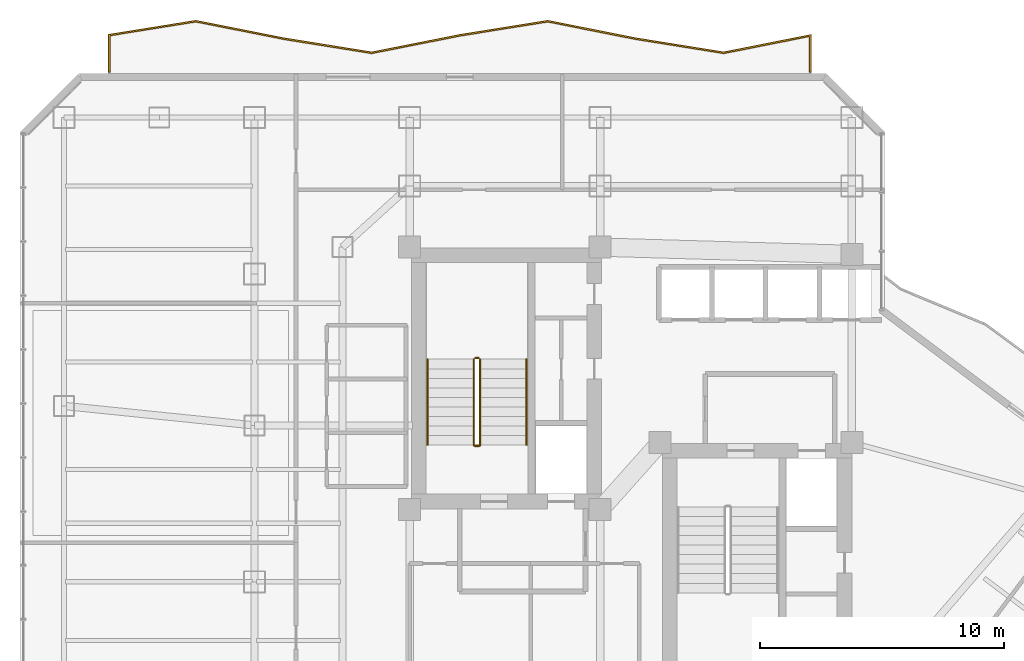
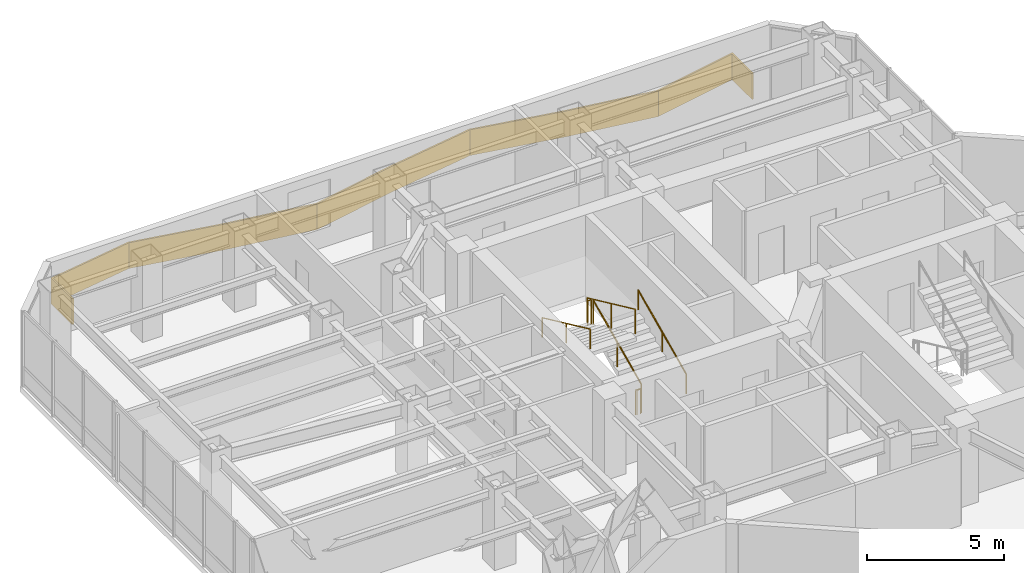
# One storey, part 28 of 29: 8 railings.
"""IFC4 building model written with IfcOpenShell, lengths in metres."""

from ifc_helpers import new_model, si_unit, direction, frame, origin, origin_2d, place, context, subcontext, project, spatial, polyline, circle, outline, extrude, material, layer, layer_set, type_object, element, save


model = new_model("IFC4")

# Units and contexts
model_context = context("Model", 3, precision=1e-05, world=origin(), true_north=direction((0.0, 1.0)))
body_context = subcontext(model_context, "Body", "Model", "MODEL_VIEW")
ifc_project = project(units=[si_unit("LENGTHUNIT", "METRE"), si_unit("AREAUNIT", "SQUARE_METRE"), si_unit("VOLUMEUNIT", "CUBIC_METRE"), si_unit("PLANEANGLEUNIT", "RADIAN"), si_unit("MASSUNIT", "GRAM", prefix="KILO")], contexts=[model_context])

# Site, building, storey
site_placement = place(None, origin())
site = spatial("IfcSite", under=ifc_project, at=site_placement, CompositionType="ELEMENT")
building_placement = place(site_placement, origin())
building = spatial("IfcBuilding", under=site, at=building_placement, Name="Hatsunagi Terrace Concourse", CompositionType="ELEMENT")
storey_placement = place(building_placement, frame((0.0, 0.0, 119.25)))
storey = spatial("IfcBuildingStorey", under=building, at=storey_placement, Name="L31", CompositionType="ELEMENT", Elevation=119.25)

# Railings
ifc_material_1 = material(Name="Laminated Glass and Stainless Steel Guard", Category="steel")
ifc_layer_1 = layer(ifc_material_1, 0.070068359375)
ifc_layer_set_1 = layer_set([ifc_layer_1], Name="BalconyGlassGuardRail_1150")
railing_type_1 = type_object("IfcRailingType", Name="BalconyGlassGuardRail_1150", PredefinedType="BALUSTRADE", material=ifc_layer_set_1)
railing_1_placement = place(storey_placement, origin())
element("IfcRailing", 1, at=railing_1_placement, inside=storey, type_object=railing_type_1, Name="Engawa Balcony Guard GRD-01 L31-BN-1", PredefinedType="BALUSTRADE", context=body_context, shape_type="SweptSolid", body=[
    extrude(outline(polyline([(13.215087890625, 50.449951171875), (13.284912109375, 50.449951171875), (13.284912109375, 51.9453125), (16.79833984375, 52.509521484375), (20.384765625, 51.798583984375), (24.001708984375, 51.21728515625), (27.615234375, 51.9345703125), (31.1982421875, 52.509521484375), (34.784912109375, 51.798583984375), (38.401611328125, 51.21728515625), (41.9150390625, 51.914306640625), (41.9150390625, 50.449951171875), (41.985107421875, 50.449951171875), (41.985107421875, 51.99951171875), (38.400390625, 51.28857421875), (34.797119140625, 51.867431640625), (31.19970703125, 52.58056640625), (27.602783203125, 52.00341796875), (24.000244140625, 51.28857421875), (20.397216796875, 51.867431640625), (16.799560546875, 52.58056640625), (13.215087890625, 52.0048828125), (13.215087890625, 50.449951171875)])), origin(), (0.0, 0.0, 1.0), 1.14990234375),
])
ifc_material_2 = material(Name="Stainless steel", Category="steel")
ifc_layer_2 = layer(ifc_material_2, 0.044921875)
ifc_layer_set_2 = layer_set([ifc_layer_2], Name="StairPitchHandrail_Tower2000")
railing_type_2 = type_object("IfcRailingType", Name="StairPitchHandrail_Tower2000", PredefinedType="HANDRAIL", material=ifc_layer_set_2)
railing_2_placement = place(storey_placement, frame((30.330078125, 35.199951171875, 0.179931640625)))
element("IfcRailing", 2, at=railing_2_placement, inside=storey, type_object=railing_type_2, Name="L31 ST-A stair handrail 1", PredefinedType="HANDRAIL", context=body_context, shape_type="SweptSolid", body=[
    extrude(circle(Radius=0.02392578125, at=origin_2d()), frame((0.0, 0.0, 0.8759765625), z_axis=(0.0, 0.907948293929, 0.419082206198), x_axis=(-1.0, 0.0, 0.0)), (0.0, 0.0, 1.0), 3.865966796875),
    extrude(circle(Radius=0.02099609375, at=origin_2d()), origin(), (0.0, 0.0, 1.0), 0.851806640625),
    extrude(circle(Radius=0.02099609375, at=origin_2d()), frame((0.0, 1.7548828125, 0.81005859375)), (0.0, 0.0, 1.0), 0.851806640625),
    extrude(circle(Radius=0.02099609375, at=origin_2d()), frame((0.0, 3.510009765625, 1.6201171875)), (0.0, 0.0, 1.0), 0.851806640625),
])
railing_3_placement = place(storey_placement, frame((26.280029296875, 38.7099609375, 1.97998046875)))
element("IfcRailing", 3, at=railing_3_placement, inside=storey, type_object=railing_type_2, Name="L31 ST-A stair handrail 2", PredefinedType="HANDRAIL", context=body_context, shape_type="SweptSolid", body=[
    extrude(circle(Radius=0.02392578125, at=origin_2d()), frame((0.0, 0.0, 0.8759765625), z_axis=(0.0, -0.907948293929, 0.419082206198), x_axis=(1.0, 0.0, 0.0)), (0.0, 0.0, 1.0), 3.865966796875),
    extrude(circle(Radius=0.02099609375, at=origin_2d()), origin(), (0.0, 0.0, 1.0), 0.851806640625),
    extrude(circle(Radius=0.02099609375, at=origin_2d()), frame((0.0, -1.7548828125, 0.81005859375)), (0.0, 0.0, 1.0), 0.851806640625),
    extrude(circle(Radius=0.02099609375, at=origin_2d()), frame((0.0, -3.510009765625, 1.6201171875)), (0.0, 0.0, 1.0), 0.851806640625),
])
ifc_material_3 = material(Name="Stainless steel", Category="steel")
ifc_layer_3 = layer(ifc_material_3, 0.06005859375)
ifc_layer_set_3 = layer_set([ifc_layer_3], Name="StairWellGuard_Tower2000")
railing_type_3 = type_object("IfcRailingType", Name="StairWellGuard_Tower2000", PredefinedType="BALUSTRADE", material=ifc_layer_set_3)
railing_4_placement = place(storey_placement, frame((28.429931640625, 35.199951171875, 0.179931640625)))
element("IfcRailing", 4, at=railing_4_placement, inside=storey, type_object=railing_type_3, Name="L31 ST-A stair guard 1", PredefinedType="BALUSTRADE", context=body_context, shape_type="SweptSolid", body=[
    extrude(circle(Radius=0.02392578125, at=origin_2d()), frame((0.0, 0.0, 1.09619140625), z_axis=(0.0, 0.907948293929, 0.419082206198), x_axis=(-1.0, 0.0, 0.0)), (0.0, 0.0, 1.0), 3.865966796875),
    extrude(circle(Radius=0.02099609375, at=origin_2d()), origin(), (0.0, 0.0, 1.0), 1.072021484375),
    extrude(circle(Radius=0.02099609375, at=origin_2d()), frame((0.0, 1.7548828125, 0.81005859375)), (0.0, 0.0, 1.0), 1.072021484375),
    extrude(circle(Radius=0.02099609375, at=origin_2d()), frame((0.0, 3.510009765625, 1.6201171875)), (0.0, 0.0, 1.0), 1.072021484375),
])
railing_5_placement = place(storey_placement, frame((28.3798828125, 38.760009765625, 1.800048828125)))
element("IfcRailing", 5, at=railing_5_placement, inside=storey, type_object=railing_type_3, Name="L31 ST-A stair guard 2", PredefinedType="BALUSTRADE", context=body_context, shape_type="SweptSolid", body=[
    extrude(circle(Radius=0.02392578125, at=origin_2d()), frame((0.0, 0.0, 1.09619140625), z_axis=(-1.0, 0.0, 0.0), x_axis=(0.0, -1.0, 0.0)), (0.0, 0.0, 1.0), 0.14990234375),
    extrude(circle(Radius=0.02099609375, at=origin_2d()), origin(), (0.0, 0.0, 1.0), 1.072021484375),
    extrude(circle(Radius=0.02099609375, at=origin_2d()), frame((-0.14990234375, 0.0, 0.0)), (0.0, 0.0, 1.0), 1.072021484375),
])
railing_6_placement = place(storey_placement, frame((28.179931640625, 38.7099609375, 1.97998046875)))
element("IfcRailing", 6, at=railing_6_placement, inside=storey, type_object=railing_type_3, Name="L31 ST-A stair guard 3", PredefinedType="BALUSTRADE", context=body_context, shape_type="SweptSolid", body=[
    extrude(circle(Radius=0.02392578125, at=origin_2d()), frame((0.0, 0.0, 1.09619140625), z_axis=(0.0, -0.907948293929, 0.419082206198), x_axis=(1.0, 0.0, 0.0)), (0.0, 0.0, 1.0), 3.865966796875),
    extrude(circle(Radius=0.02099609375, at=origin_2d()), origin(), (0.0, 0.0, 1.0), 1.072021484375),
    extrude(circle(Radius=0.02099609375, at=origin_2d()), frame((0.0, -1.7548828125, 0.81005859375)), (0.0, 0.0, 1.0), 1.072021484375),
    extrude(circle(Radius=0.02099609375, at=origin_2d()), frame((0.0, -3.510009765625, 1.6201171875)), (0.0, 0.0, 1.0), 1.072021484375),
])
railing_7_placement = place(storey_placement, frame((28.3798828125, 35.14990234375, 0.0)))
element("IfcRailing", 7, at=railing_7_placement, inside=storey, type_object=railing_type_3, Name="L31 ST-A stair guard 4", PredefinedType="BALUSTRADE", context=body_context, shape_type="SweptSolid", body=[
    extrude(circle(Radius=0.02392578125, at=origin_2d()), frame((0.0, 0.0, 1.09619140625), z_axis=(-1.0, 0.0, 0.0), x_axis=(0.0, -1.0, 0.0)), (0.0, 0.0, 1.0), 0.14990234375),
    extrude(circle(Radius=0.02099609375, at=origin_2d()), origin(), (0.0, 0.0, 1.0), 1.072021484375),
    extrude(circle(Radius=0.02099609375, at=origin_2d()), frame((-0.14990234375, 0.0, 0.0)), (0.0, 0.0, 1.0), 1.072021484375),
])
ifc_material_4 = material(Name="Stainless Steel SUS316 Post-and-Rail Guard", Category="steel")
ifc_layer_4 = layer(ifc_material_4, 0.080078125)
ifc_layer_set_4 = layer_set([ifc_layer_4], Name="TerracePlantedGuardRail_1200")
railing_type_4 = type_object("IfcRailingType", Name="TerracePlantedGuardRail_1200", PredefinedType="GUARDRAIL", material=ifc_layer_set_4)
railing_8_placement = place(storey_placement, frame((28.179931640625, 35.179931640625, 0.0)))
element("IfcRailing", 8, at=railing_8_placement, inside=storey, type_object=railing_type_4, Name="Stair ST-A Well Closure Guard L31", PredefinedType="GUARDRAIL", context=body_context, shape_type="SweptSolid", body=[
    extrude(circle(Radius=0.02392578125, at=origin_2d()), frame((0.0, 0.0, 1.09619140625), z_axis=(1.0, 0.0, 0.0), x_axis=(0.0, 1.0, 0.0)), (0.0, 0.0, 1.0), 0.25),
    extrude(circle(Radius=0.02099609375, at=origin_2d()), origin(), (0.0, 0.0, 1.0), 1.072021484375),
    extrude(circle(Radius=0.02099609375, at=origin_2d()), frame((0.25, 0.0, 0.0)), (0.0, 0.0, 1.0), 1.072021484375),
])

save(model, "model.ifc")
